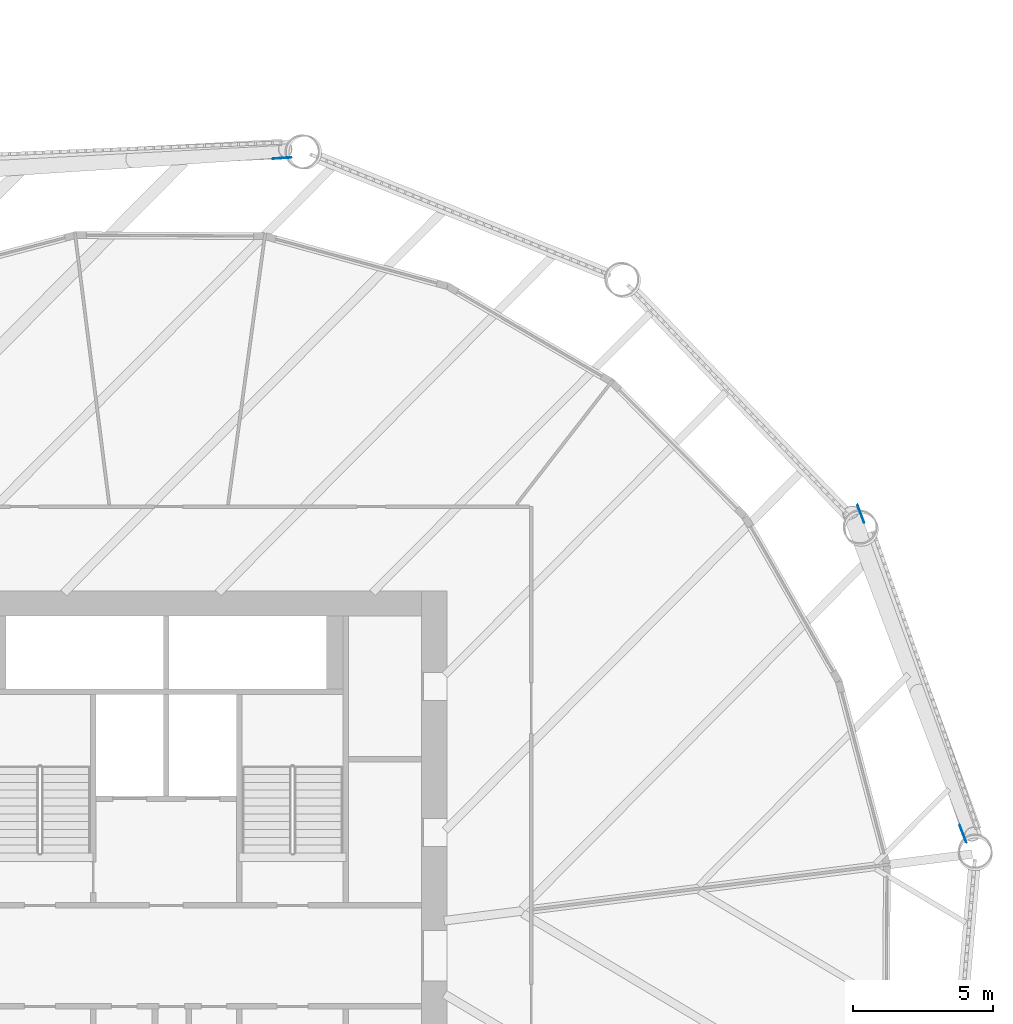
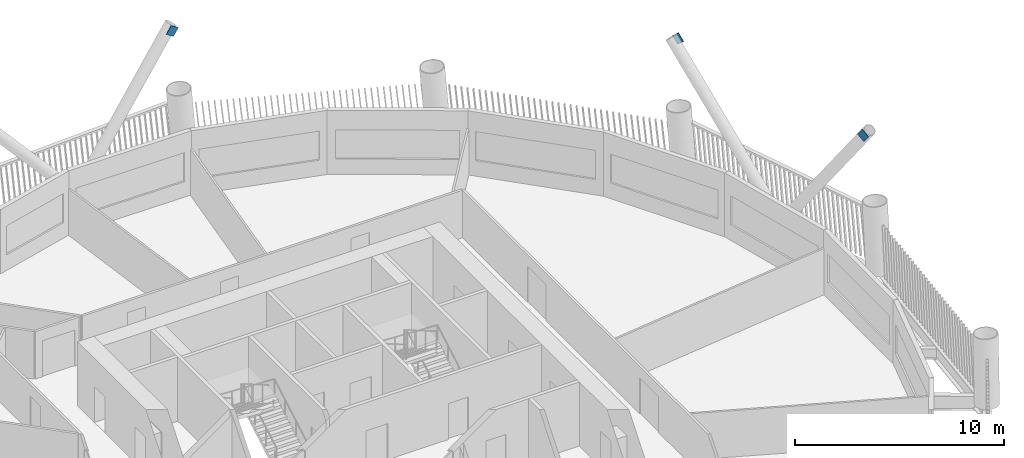
# One storey, part 14 of 22: 3 discrete accessories.
"""IFC4 building model written with IfcOpenShell, lengths in metres."""

from ifc_helpers import new_model, si_unit, direction, frame, origin, origin_2d, place, context, subcontext, project, spatial, rectangle, extrude, material, material_profile, profile_set, type_object, element, save


model = new_model("IFC4")

# Units and contexts
model_context = context("Model", 3, precision=1e-05, world=origin(), true_north=direction((0.0, 1.0)))
body_context = subcontext(model_context, "Body", "Model", "MODEL_VIEW")
ifc_project = project(units=[si_unit("LENGTHUNIT", "METRE"), si_unit("AREAUNIT", "SQUARE_METRE"), si_unit("VOLUMEUNIT", "CUBIC_METRE"), si_unit("PLANEANGLEUNIT", "RADIAN"), si_unit("MASSUNIT", "GRAM", prefix="KILO")], contexts=[model_context])

# Site, building, storey
site_placement = place(None, origin())
site = spatial("IfcSite", under=ifc_project, at=site_placement, CompositionType="ELEMENT")
building_placement = place(site_placement, origin())
building = spatial("IfcBuilding", under=site, at=building_placement, Name="Tarsis Ring Headquarters", CompositionType="ELEMENT")
storey_placement = place(building_placement, frame((0.0, 0.0, 79.0)))
storey = spatial("IfcBuildingStorey", under=building, at=storey_placement, Name="L17", CompositionType="ELEMENT", Elevation=79.0)

# Discrete accessories
ifc_material = material(Name="Structural steel S355", Category="steel")
ifc_material_profile = material_profile(ifc_material, rectangle(XDim=0.02490234375, YDim=0.5, at=origin_2d()), Name="PL 25x500")
ifc_profile_set = profile_set([ifc_material_profile], Name="Structural steel S355")
discrete_accessory_type = type_object("IfcDiscreteAccessoryType", Name="Gusset plate Exo brace 25", PredefinedType="BRACKET", material=ifc_profile_set)
for number, where, z_axis, x_axis, name in (
    (1, (24.680419921875, 15.900146484375, 7.800048828125), (0.231939953199, -0.615251244274, -0.753438626916), (0.935717379647, 0.35275059947, 0.0), "Gusset plate GP5"),
    (2, (28.4267578125, 4.220947265625, 7.800048828125), (-0.203120714189, 0.534656687589, -0.820295191918), (-0.934811925184, -0.355143160618, 0.0), "Gusset plate GP5"),
    (3, (4.26123046875, 28.4208984375, 7.800048828125), (-0.57073968687, -0.038570090045, -0.820224699693), (0.067425339157, -0.997724322466, 0.0), "Gusset plate GP5"),
):
    element("IfcDiscreteAccessory", number, at=place(storey_placement, frame(where, z_axis=z_axis, x_axis=x_axis)), inside=storey, type_object=discrete_accessory_type, Name=name, PredefinedType="BRACKET", context=body_context, shape_type="SweptSolid", body=[
        extrude(rectangle(XDim=0.02490234375, YDim=0.5, at=origin_2d()), origin(), (0.0, 0.0, 1.0), 0.5),
    ])

save(model, "model.ifc")
